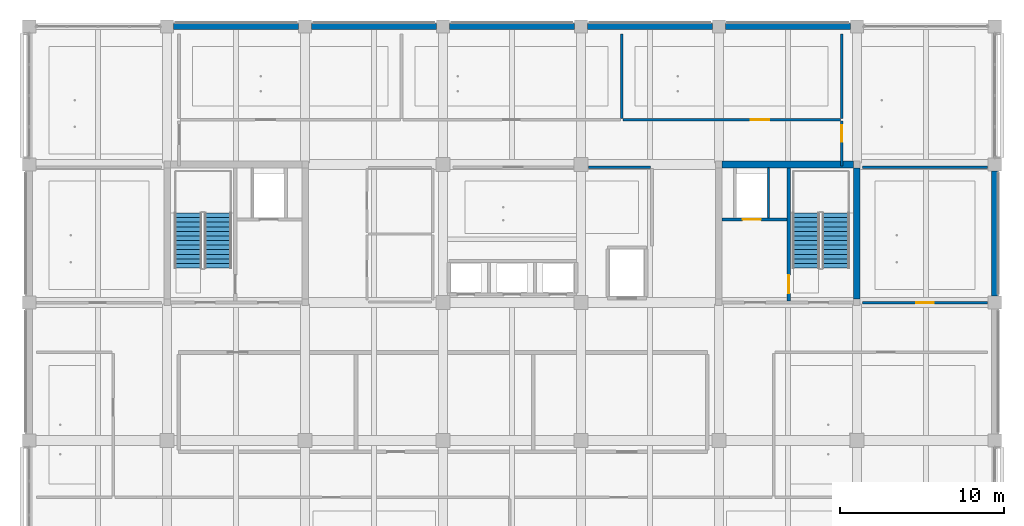
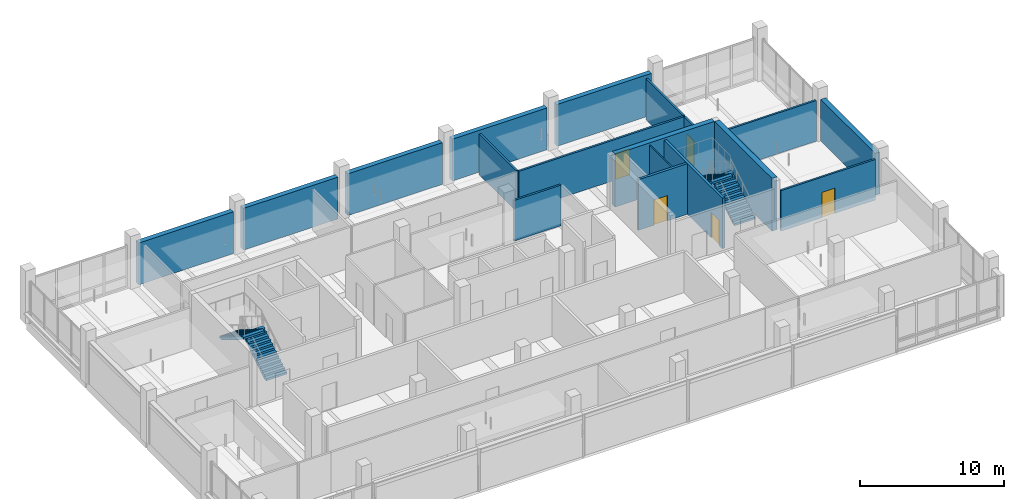
# One storey, part 13 of 35: 18 walls, 5 doors, 4 stair flights, 5 openings, 2 elements without a shape of their own.
"""IFC4 building model written with IfcOpenShell, lengths in metres."""

import ifcopenshell
import ifcopenshell.guid

model = None  # the IFC model being written
_history = None  # IfcOwnerHistory: only IFC2X3 demands one
_inside = {}  # id of a spatial element -> (the spatial element, [elements in it])
_under = {}  # id of a project, library or spatial element -> (it, [spatial elements below it])
_declared = {}  # id of a project -> (the project, [libraries it declares])
_typed = {}  # id of a type object -> (the type object, [elements of that type])
_made_of = {}  # id of a material, layer set ... -> (it, [elements and type objects made of it])


def new_model(schema):
    """Start an empty IFC model of exactly this schema.

    Asked for "IFC4X3", IfcOpenShell would pick the latest addendum, in which some entities
    have other attributes; the version numbers below select the first issue.
    IFC2X3 requires an IfcOwnerHistory on every rooted entity: one is made here for all.
    """
    global model, _history
    if schema == "IFC4X3":
        model = ifcopenshell.file(schema_version=(4, 3, 0, 0))
    else:
        model = ifcopenshell.file(schema=schema)
    _inside.clear()
    _under.clear()
    _declared.clear()
    _typed.clear()
    _made_of.clear()
    _history = None
    if model.schema == "IFC2X3":
        org = make("IfcOrganization", Name="unknown")
        user = make(
            "IfcPersonAndOrganization",
            ThePerson=make("IfcPerson", FamilyName="unknown"),
            TheOrganization=org,
        )
        app = make(
            "IfcApplication",
            ApplicationDeveloper=org,
            Version="unknown",
            ApplicationFullName="unknown",
            ApplicationIdentifier="unknown",
        )
        _history = make(
            "IfcOwnerHistory",
            OwningUser=user,
            OwningApplication=app,
            ChangeAction="ADDED",
            CreationDate=0,
        )
    return model


def make(cls, **values):
    """One entity of the class cls with the attributes given. An attribute that is None is left unset."""
    return model.create_entity(
        cls, **{name: value for name, value in values.items() if value is not None}
    )


def rooted(cls, **values):
    """An entity with a GlobalId (a new one), such as an element, a storey or a relation."""
    return make(cls, GlobalId=ifcopenshell.guid.new(), OwnerHistory=_history, **values)


def si_unit(unit_type, name, prefix=None):
    """IfcSIUnit, for example si_unit("LENGTHUNIT", "METRE", prefix="MILLI")."""
    return make("IfcSIUnit", UnitType=unit_type, Prefix=prefix, Name=name)


def assignment(units):
    """IfcUnitAssignment: the units of a project."""
    return None if units is None else make("IfcUnitAssignment", Units=units)


def point(xyz):
    """IfcCartesianPoint."""
    return None if xyz is None else make("IfcCartesianPoint", Coordinates=xyz)


def direction(xyz):
    """IfcDirection."""
    return None if xyz is None else make("IfcDirection", DirectionRatios=xyz)


def frame(location, z_axis=None, x_axis=None):
    """IfcAxis2Placement3D, a coordinate frame: its origin and axes. An axis left out is left unset."""
    return make(
        "IfcAxis2Placement3D",
        Location=point(location),
        Axis=direction(z_axis),
        RefDirection=direction(x_axis),
    )


def frame_2d(location, x_axis=None):
    """IfcAxis2Placement2D, a coordinate frame in the plane: its origin and x axis."""
    return make(
        "IfcAxis2Placement2D", Location=point(location), RefDirection=direction(x_axis)
    )


def origin():
    """The frame at (0, 0, 0) with its axes left unset."""
    return frame((0.0, 0.0, 0.0))


def place(relative_to, where):
    """IfcLocalPlacement: puts the frame where relative to a parent placement (None: the world)."""
    return make(
        "IfcLocalPlacement", PlacementRelTo=relative_to, RelativePlacement=where
    )


def context(
    kind, dimensions, precision=None, world=None, true_north=None, identifier=None
):
    """IfcGeometricRepresentationContext, for example the 3D "Model" context."""
    return make(
        "IfcGeometricRepresentationContext",
        ContextIdentifier=identifier,
        ContextType=kind,
        CoordinateSpaceDimension=dimensions,
        Precision=precision,
        WorldCoordinateSystem=world,
        TrueNorth=true_north,
    )


def subcontext(parent, identifier, kind, view, scale=None):
    """IfcGeometricRepresentationSubContext, for example "Body" below "Model"."""
    return make(
        "IfcGeometricRepresentationSubContext",
        ContextIdentifier=identifier,
        ContextType=kind,
        ParentContext=parent,
        TargetScale=scale,
        TargetView=view,
    )


def project(units=None, contexts=None):
    """IfcProject with its units and contexts."""
    return rooted(
        "IfcProject",
        Name="project",
        RepresentationContexts=contexts,
        UnitsInContext=assignment(units),
    )


def spatial(cls, under=None, at=None, **own):
    """A site, building, storey or space (cls), placed at a placement, below another one or the project."""
    s = rooted(cls, ObjectPlacement=at, **own)
    if under is not None:
        _under.setdefault(under.id(), (under, []))[1].append(s)
    return s


def polyline(points):
    """IfcPolyline through the points."""
    return make("IfcPolyline", Points=[point(p) for p in points])


def profile(cls, at=None, kind="AREA", **sizes):
    """A parametric profile (cls). Its sizes go by their IFC names, for example OverallWidth=200.0."""
    return make(cls, ProfileType=kind, Position=at, **sizes)


def rectangle(**sizes):
    """IfcRectangleProfileDef."""
    return profile("IfcRectangleProfileDef", **sizes)


def outline(outer, holes=None, kind="AREA"):
    """IfcArbitraryClosedProfileDef: a profile drawn as a closed curve; with holes, ...WithVoids."""
    if holes is None:
        return make("IfcArbitraryClosedProfileDef", ProfileType=kind, OuterCurve=outer)
    return make(
        "IfcArbitraryProfileDefWithVoids",
        ProfileType=kind,
        OuterCurve=outer,
        InnerCurves=holes,
    )


def extrude(swept, where, along, depth):
    """IfcExtrudedAreaSolid: the profile swept, set in the frame where, extruded along a direction by depth."""
    return make(
        "IfcExtrudedAreaSolid",
        SweptArea=swept,
        Position=where,
        ExtrudedDirection=direction(along),
        Depth=depth,
    )


def shape(context_of_items, identifier, shape_type, items):
    """IfcShapeRepresentation: the items that make up one representation, for example the "Body"."""
    return make(
        "IfcShapeRepresentation",
        ContextOfItems=context_of_items,
        RepresentationIdentifier=identifier,
        RepresentationType=shape_type,
        Items=items,
    )


def material(Name=None, Category=None):
    """IfcMaterial."""
    return make("IfcMaterial", Name=Name, Category=Category)


def layer(
    of_material, thickness, ventilated=None, Name=None, Category=None, Priority=None
):
    """IfcMaterialLayer: one layer of a wall or slab, of a material (None: an air gap)."""
    return make(
        "IfcMaterialLayer",
        Material=of_material,
        LayerThickness=thickness,
        IsVentilated=ventilated,
        Name=Name,
        Category=Category,
        Priority=Priority,
    )


def layer_set(layers, Name=None):
    """IfcMaterialLayerSet."""
    return make("IfcMaterialLayerSet", MaterialLayers=layers, LayerSetName=Name)


def made_of(thing, what):
    """Note that an element or type object is made of a material, layer set ...; save() writes the relation."""
    if what is not None:
        _made_of.setdefault(what.id(), (what, []))[1].append(thing)
    return thing


def type_object(cls, material=None, **own):
    """A type object (cls), such as IfcWallType, which elements share."""
    return made_of(rooted(cls, **own), material)


def element(
    cls,
    number,
    at=None,
    inside=None,
    cuts=None,
    type_object=None,
    material=None,
    context=None,
    identifier="Body",
    shape_type=None,
    held_by="IfcProductDefinitionShape",
    body=None,
    shapes=None,
    **own,
):
    """One element of the class cls, such as IfcWall. Its Tag is "e" and its number.

    at: its placement. inside: the storey or other place that contains it. cuts: it is an
    opening in that element (IfcRelVoidsElement). A single representation is given by context,
    identifier, shape_type and body (its items); several are given by shapes. held_by: the class
    of the entity that holds the representations. save() writes the other relations.
    """
    e = rooted(cls, Tag="e%d" % number, ObjectPlacement=at, **own)
    if body is not None:
        shapes = [shape(context, identifier, shape_type, body)]
    if shapes is not None:
        e.Representation = make(held_by, Representations=shapes)
    if inside is not None:
        _inside.setdefault(inside.id(), (inside, []))[1].append(e)
    if cuts is not None:
        rooted(
            "IfcRelVoidsElement", RelatingBuildingElement=cuts, RelatedOpeningElement=e
        )
    if type_object is not None:
        _typed.setdefault(type_object.id(), (type_object, []))[1].append(e)
    return made_of(e, material)


def fill(opening, filler):
    """IfcRelFillsElement: the door or window that sits in an opening."""
    return rooted(
        "IfcRelFillsElement",
        RelatingOpeningElement=opening,
        RelatedBuildingElement=filler,
    )


def aggregate(whole, parts):
    """IfcRelAggregates: a whole, such as a stair, and the parts it consists of."""
    return rooted("IfcRelAggregates", RelatingObject=whole, RelatedObjects=parts)


def save(model, path):
    """Write the relations noted so far, then the file.

    IfcRelAggregates (storeys below a building ...), IfcRelContainedInSpatialStructure (elements
    in a storey), IfcRelDefinesByType, IfcRelAssociatesMaterial and IfcRelDeclares: one each for
    every whole, place, type object, material and project.
    """
    for whole, parts in _under.values():
        aggregate(whole, parts)
    for where, things in _inside.values():
        rooted(
            "IfcRelContainedInSpatialStructure",
            RelatedElements=things,
            RelatingStructure=where,
        )
    for kind, things in _typed.values():
        rooted("IfcRelDefinesByType", RelatedObjects=things, RelatingType=kind)
    for what, things in _made_of.values():
        rooted("IfcRelAssociatesMaterial", RelatedObjects=things, RelatingMaterial=what)
    for by, libraries in _declared.values():
        rooted("IfcRelDeclares", RelatingContext=by, RelatedDefinitions=libraries)
    model.write(path)


model = new_model("IFC4")

# Units and contexts
model_context = context("Model", 3, precision=1e-05, world=origin(), true_north=direction((0.0, 1.0)))
body_context = subcontext(model_context, "Body", "Model", "MODEL_VIEW")
ifc_project = project(units=[si_unit("LENGTHUNIT", "METRE"), si_unit("AREAUNIT", "SQUARE_METRE"), si_unit("VOLUMEUNIT", "CUBIC_METRE"), si_unit("PLANEANGLEUNIT", "RADIAN"), si_unit("MASSUNIT", "GRAM", prefix="KILO")], contexts=[model_context])

# Site, building, storey
site_placement = place(None, origin())
site = spatial("IfcSite", under=ifc_project, at=site_placement, CompositionType="ELEMENT")
building_placement = place(site_placement, origin())
building = spatial("IfcBuilding", under=site, at=building_placement, Name="Telukmera Botanical Conservatory", CompositionType="ELEMENT")
storey_placement = place(building_placement, frame((0.0, 0.0, 28.5)))
storey = spatial("IfcBuildingStorey", under=building, at=storey_placement, Name="L06", CompositionType="ELEMENT", Elevation=28.5)

# Walls
ifc_material_1 = material(Name="Terracotta-faced precast concrete C40/50", Category="masonry")
ifc_layer_1 = layer(ifc_material_1, 0.3798828125)
ifc_layer_set_1 = layer_set([ifc_layer_1], Name="Terracotta-faced precast concrete C40/50")
wall_type_1 = type_object("IfcWallType", Name="Exterior Herbarium Vault Insulated Precast Wall 380", PredefinedType="SOLIDWALL", material=ifc_layer_set_1)
wall_1_placement = place(storey_placement, frame((59.201904296875, 42.800048828125, 0.0), z_axis=(0.0, 0.0, 1.0), x_axis=(1.0, 0.0, 0.0)))
element("IfcWall", 1, at=wall_1_placement, inside=storey, type_object=wall_type_1, Name="Exterior Precast Wall EW04 V4:L06:N2", PredefinedType="SOLIDWALL", context=body_context, shape_type="SweptSolid", body=[
    extrude(rectangle(XDim=7.59619140625, YDim=0.3798828125, at=frame_2d((3.798095703125, 0.0))), origin(), (0.0, 0.0, 1.0), 3.550048828125),
])
for number, where, z_axis, x_axis, name in (
    (2, (67.60205078125, 42.800048828125, 0.0), (0.0, 0.0, 1.0), (1.0, 0.0, 0.0), "Exterior Precast Wall EW04 V4:L06:N3"),
    (3, (76.001953125, 42.800048828125, 0.0), (0.0, 0.0, 1.0), (1.0, 0.0, 0.0), "Exterior Precast Wall EW04 V4:L06:N4"),
    (4, (84.402099609375, 42.800048828125, 0.0), (0.0, 0.0, 1.0), (1.0, 0.0, 0.0), "Exterior Precast Wall EW04 V4:L06:N5"),
    (5, (92.802001953125, 42.800048828125, 0.0), (0.0, 0.0, 1.0), (1.0, 0.0, 0.0), "Exterior Precast Wall EW04 V4:L06:N6"),
    (6, (109.199951171875, 26.402099609375, 0.0), (0.0, 0.0, 1.0), (0.0, 1.0, 0.0), "Exterior Precast Wall EW04 V4:L06:E3"),
):
    element("IfcWall", number, at=place(storey_placement, frame(where, z_axis=z_axis, x_axis=x_axis)), inside=storey, type_object=wall_type_1, Name=name, PredefinedType="SOLIDWALL", context=body_context, shape_type="SweptSolid", body=[
        extrude(rectangle(XDim=7.595947265625, YDim=0.3798828125, at=frame_2d((3.7978515625, 0.0))), origin(), (0.0, 0.0, 1.0), 3.550048828125),
    ])

# Wall, opening, door
ifc_material_2 = material(Name="Concrete C40/50", Category="concrete")
ifc_layer_2 = layer(ifc_material_2, 0.199951171875)
ifc_layer_set_2 = layer_set([ifc_layer_2], Name="Concrete C40/50")
wall_type_2 = type_object("IfcWallType", Name="WT-CORE-200", PredefinedType="SOLIDWALL", material=ifc_layer_set_2)
wall_2_placement = place(storey_placement, frame((96.64990234375, 26.10009765625, 0.0), z_axis=(0.0, 0.0, 1.0), x_axis=(0.0, 1.0, 0.0)))
wall_2 = element("IfcWall", 7, at=wall_2_placement, inside=storey, type_object=wall_type_2, Name="L06 Core C2 Stair-Lobby Wall", PredefinedType="SOLIDWALL", context=body_context, shape_type="SweptSolid", body=[
    extrude(rectangle(XDim=8.099853515625, YDim=0.199951171875, at=frame_2d((4.0498046875, 0.0))), origin(), (0.0, 0.0, 1.0), 4.300048828125),
])
opening_1_placement = place(wall_2_placement, frame((0.449951171875, 0.0, 0.0)))
opening_1 = element("IfcOpeningElement", 8, at=opening_1_placement, cuts=wall_2, Name="Opening FD60B", PredefinedType="OPENING", context=body_context, shape_type="SweptSolid", body=[
    extrude(rectangle(XDim=1.1201171875, YDim=2.14990234375, at=frame_2d((0.56005859375, 1.074951171875))), frame((0.0, 0.10986328125, 0.0), z_axis=(0.0, -1.0, 0.0), x_axis=(1.0, 0.0, 0.0)), (0.0, 0.0, 1.0), 0.219970703125),
])
ifc_material_3 = material(Name="Hardwood fire door", Category="wood")
door_type_1 = type_object("IfcDoorType", Name="DT-FD60-02", OperationType="NOTDEFINED", PredefinedType="DOOR", material=ifc_material_3)
door_1_placement = place(opening_1_placement, frame((1.1201171875, 0.0, 0.0), z_axis=(0.0, 0.0, 1.0), x_axis=(-1.0, 0.0, 0.0)))
door_1 = element("IfcDoor", 9, at=door_1_placement, inside=storey, type_object=door_type_1, Name="L06 Firefighting Lobby C2 to ST2 Door", OperationType="SINGLE_SWING_RIGHT", OverallHeight=2.14990234375, OverallWidth=1.1201171875, PredefinedType="DOOR", context=body_context, shape_type="SweptSolid", body=[
    extrude(rectangle(XDim=1.1201171875, YDim=2.14990234375, at=frame_2d((0.56005859375, 1.074951171875))), frame((0.0, 0.02490234375, 0.0), z_axis=(0.0, -1.0, 0.0), x_axis=(1.0, 0.0, 0.0)), (0.0, 0.0, 1.0), 0.050048828125),
])
fill(opening_1, door_1)

wall_3_placement = place(storey_placement, frame((92.60009765625, 31.050048828125, 0.0), z_axis=(0.0, 0.0, 1.0), x_axis=(1.0, 0.0, 0.0)))
wall_3 = element("IfcWall", 10, at=wall_3_placement, inside=storey, type_object=wall_type_2, Name="L06 Fire Lift FL2 Shaft Front Wall", PredefinedType="SOLIDWALL", context=body_context, shape_type="SweptSolid", body=[
    extrude(rectangle(XDim=3.949951171875, YDim=0.199951171875, at=frame_2d((1.97509765625, 0.0))), origin(), (0.0, 0.0, 1.0), 4.300048828125),
])
opening_2_placement = place(wall_3_placement, frame((1.25, 0.0, 0.0)))
opening_2 = element("IfcOpeningElement", 11, at=opening_2_placement, cuts=wall_3, Name="Opening LD01", PredefinedType="OPENING", context=body_context, shape_type="SweptSolid", body=[
    extrude(rectangle(XDim=1.10009765625, YDim=2.14990234375, at=frame_2d((0.550048828125, 1.074951171875))), frame((0.0, 0.10986328125, 0.0), z_axis=(0.0, -1.0, 0.0), x_axis=(1.0, 0.0, 0.0)), (0.0, 0.0, 1.0), 0.219970703125),
])
ifc_material_4 = material(Name="Stainless steel 316", Category="steel")
door_type_2 = type_object("IfcDoorType", Name="DT-LD01", OperationType="SLIDING_TO_LEFT", PredefinedType="DOOR", material=ifc_material_4)
door_2_placement = place(opening_2_placement, frame((1.10009765625, 0.0, 0.0), z_axis=(0.0, 0.0, 1.0), x_axis=(-1.0, 0.0, 0.0)))
door_2 = element("IfcDoor", 12, at=door_2_placement, inside=storey, type_object=door_type_2, Name="L06 Lift Landing Door FL2", OperationType="SLIDING_TO_LEFT", OverallHeight=2.14990234375, OverallWidth=1.10009765625, PredefinedType="DOOR", context=body_context, shape_type="SweptSolid", body=[
    extrude(rectangle(XDim=1.10009765625, YDim=2.14990234375, at=frame_2d((0.550048828125, 1.074951171875))), frame((0.0, 0.02490234375, 0.0), z_axis=(0.0, -1.0, 0.0), x_axis=(1.0, 0.0, 0.0)), (0.0, 0.0, 1.0), 0.050048828125),
])
fill(opening_2, door_2)

# Wall
ifc_material_5 = material(Name="Gypsum acoustic stud partition")
ifc_layer_3 = layer(ifc_material_5, 0.159912109375)
ifc_layer_set_3 = layer_set([ifc_layer_3], Name="Gypsum acoustic stud partition")
wall_type_3 = type_object("IfcWallType", Name="WT-LAB-160", PredefinedType="PARTITIONING", material=ifc_layer_set_3)
wall_4_placement = place(storey_placement, frame((84.455078125, 34.22509765625, 0.0), z_axis=(0.0, 0.0, 1.0), x_axis=(1.0, 0.0, 0.0)))
element("IfcWall", 13, at=wall_4_placement, inside=storey, type_object=wall_type_3, Name="L06 Interior Partition 08", PredefinedType="PARTITIONING", context=body_context, shape_type="SweptSolid", body=[
    extrude(rectangle(XDim=3.780029296875, YDim=0.159912109375, at=frame_2d((1.89013671875, 0.0))), origin(), (0.0, 0.0, 1.0), 3.449951171875),
])

# Wall, opening, door
wall_5_placement = place(storey_placement, frame((86.550048828125, 37.125, 0.0), z_axis=(0.0, 0.0, 1.0), x_axis=(1.0, 0.0, 0.0)))
wall_5 = element("IfcWall", 14, at=wall_5_placement, inside=storey, type_object=wall_type_3, Name="L06 Interior Partition 27", PredefinedType="PARTITIONING", context=body_context, shape_type="SweptSolid", body=[
    extrude(rectangle(XDim=13.25, YDim=0.159912109375, at=frame_2d((6.625, 0.0))), origin(), (0.0, 0.0, 1.0), 3.449951171875),
])
opening_3_placement = place(wall_5_placement, frame((7.7890625, 0.0, 0.0)))
opening_3 = element("IfcOpeningElement", 15, at=opening_3_placement, cuts=wall_5, Name="Opening ID10", PredefinedType="OPENING", context=body_context, shape_type="SweptSolid", body=[
    extrude(rectangle(XDim=1.139892578125, YDim=2.219970703125, at=frame_2d((0.56982421875, 1.10986328125))), frame((0.0, 0.08984375, 0.0), z_axis=(0.0, -1.0, 0.0), x_axis=(1.0, 0.0, 0.0)), (0.0, 0.0, 1.0), 0.179931640625),
])
ifc_material_6 = material(Name="Sealed steel herbarium door", Category="steel")
door_type_3 = type_object("IfcDoorType", Name="DT-HERB-114", OperationType="NOTDEFINED", PredefinedType="DOOR", material=ifc_material_6)
door_3_placement = place(opening_3_placement, origin())
door_3 = element("IfcDoor", 16, at=door_3_placement, inside=storey, type_object=door_type_3, Name="L06 Historical Herbarium Archive Studio Door", OperationType="SINGLE_SWING_LEFT", OverallHeight=2.219970703125, OverallWidth=1.139892578125, PredefinedType="DOOR", context=body_context, shape_type="SweptSolid", body=[
    extrude(rectangle(XDim=1.139892578125, YDim=2.219970703125, at=frame_2d((0.56982421875, 1.10986328125))), frame((0.0, 0.02490234375, 0.0), z_axis=(0.0, -1.0, 0.0), x_axis=(1.0, 0.0, 0.0)), (0.0, 0.0, 1.0), 0.050048828125),
])
fill(opening_3, door_3)

# Walls
for number, where, z_axis, x_axis, name in (
    (17, (86.47509765625, 37.215087890625, 0.0), (0.0, 0.0, 1.0), (0.0, 1.0, 0.0), "L06 Interior Partition 31"),
    (18, (99.875, 37.215087890625, 0.0), (0.0, 0.0, 1.0), (0.0, 1.0, 0.0), "L06 Interior Partition 32"),
):
    element("IfcWall", number, at=place(storey_placement, frame(where, z_axis=z_axis, x_axis=x_axis)), inside=storey, type_object=wall_type_3, Name=name, PredefinedType="PARTITIONING", context=body_context, shape_type="SweptSolid", body=[
        extrude(rectangle(XDim=5.135009765625, YDim=0.159912109375, at=frame_2d((2.5673828125, 0.0))), origin(), (0.0, 0.0, 1.0), 3.449951171875),
    ])
ifc_material_7 = material(Name="Gypsum shaftwall liner")
ifc_layer_4 = layer(ifc_material_7, 0.110107421875)
ifc_layer_set_4 = layer_set([ifc_layer_4], Name="Gypsum shaftwall liner")
wall_type_4 = type_object("IfcWallType", Name="WT-RISER-110", PredefinedType="PARTITIONING", material=ifc_layer_set_4)
wall_6_placement = place(storey_placement, frame((95.419921875, 31.14990234375, 0.0), z_axis=(0.0, 0.0, 1.0), x_axis=(0.0, 1.0, 0.0)))
element("IfcWall", 19, at=wall_6_placement, inside=storey, type_object=wall_type_4, Name="L06 Wet Riser C2 Shaft Wall", PredefinedType="PARTITIONING", context=body_context, shape_type="SweptSolid", body=[
    extrude(rectangle(XDim=3.050048828125, YDim=0.110107421875, at=frame_2d((1.52490234375, 0.0))), origin(), (0.0, 0.0, 1.0), 4.300048828125),
])

# Wall, opening, door
ifc_layer_5 = layer(ifc_material_5, 0.14990234375)
ifc_layer_set_5 = layer_set([ifc_layer_5], Name="Gypsum acoustic stud partition")
wall_type_5 = type_object("IfcWallType", Name="WT-STD-150", PredefinedType="PARTITIONING", material=ifc_layer_set_5)
wall_7_placement = place(storey_placement, frame((101.14990234375, 25.97509765625, 0.0), z_axis=(0.0, 0.0, 1.0), x_axis=(1.0, 0.0, 0.0)))
wall_7 = element("IfcWall", 20, at=wall_7_placement, inside=storey, type_object=wall_type_5, Name="L06 Interior Partition 11", PredefinedType="PARTITIONING", context=body_context, shape_type="SweptSolid", body=[
    extrude(rectangle(XDim=7.60009765625, YDim=0.14990234375, at=frame_2d((3.800048828125, 0.0))), origin(), (0.0, 0.0, 1.0), 3.449951171875),
])
opening_4_placement = place(wall_7_placement, frame((3.280029296875, 0.0, 0.0)))
opening_4 = element("IfcOpeningElement", 21, at=opening_4_placement, cuts=wall_7, Name="Opening ID13", PredefinedType="OPENING", context=body_context, shape_type="SweptSolid", body=[
    extrude(rectangle(XDim=1.0400390625, YDim=2.14990234375, at=frame_2d((0.52001953125, 1.074951171875))), frame((0.0, 0.0849609375, 0.0), z_axis=(0.0, -1.0, 0.0), x_axis=(1.0, 0.0, 0.0)), (0.0, 0.0, 1.0), 0.169921875),
])
ifc_material_8 = material(Name="Hardwood curation studio door", Category="wood")
door_type_4 = type_object("IfcDoorType", Name="DT-CUR-104", OperationType="NOTDEFINED", PredefinedType="DOOR", material=ifc_material_8)
door_4_placement = place(opening_4_placement, origin())
door_4 = element("IfcDoor", 22, at=door_4_placement, inside=storey, type_object=door_type_4, Name="L06 Ethnobotany Voucher Studio Door", OperationType="SINGLE_SWING_LEFT", OverallHeight=2.14990234375, OverallWidth=1.0400390625, PredefinedType="DOOR", context=body_context, shape_type="SweptSolid", body=[
    extrude(rectangle(XDim=1.0400390625, YDim=2.14990234375, at=frame_2d((0.52001953125, 1.074951171875))), frame((0.0, 0.02490234375, 0.0), z_axis=(0.0, -1.0, 0.0), x_axis=(1.0, 0.0, 0.0)), (0.0, 0.0, 1.0), 0.050048828125),
])
fill(opening_4, door_4)

# Wall
wall_8_placement = place(storey_placement, frame((101.14990234375, 34.22509765625, 0.0), z_axis=(0.0, 0.0, 1.0), x_axis=(1.0, 0.0, 0.0)))
element("IfcWall", 23, at=wall_8_placement, inside=storey, type_object=wall_type_5, Name="L06 Interior Partition 12", PredefinedType="PARTITIONING", context=body_context, shape_type="SweptSolid", body=[
    extrude(rectangle(XDim=7.60009765625, YDim=0.14990234375, at=frame_2d((3.800048828125, 0.0))), origin(), (0.0, 0.0, 1.0), 3.449951171875),
])

# Wall, opening, door
wall_9_placement = place(storey_placement, frame((99.875, 34.300048828125, 0.0), z_axis=(0.0, 0.0, 1.0), x_axis=(0.0, 1.0, 0.0)))
wall_9 = element("IfcWall", 24, at=wall_9_placement, inside=storey, type_object=wall_type_5, Name="L06 Interior Partition 28", PredefinedType="PARTITIONING", context=body_context, shape_type="SweptSolid", body=[
    extrude(rectangle(XDim=2.73486328125, YDim=0.14990234375, at=frame_2d((1.367431640625, 0.0))), origin(), (0.0, 0.0, 1.0), 3.449951171875),
])
opening_5_placement = place(wall_9_placement, frame((1.485107421875, 0.0, 0.0)))
opening_5 = element("IfcOpeningElement", 25, at=opening_5_placement, cuts=wall_9, Name="Opening ID14", PredefinedType="OPENING", context=body_context, shape_type="SweptSolid", body=[
    extrude(rectangle(XDim=1.0, YDim=2.14990234375, at=frame_2d((0.5, 1.074951171875))), frame((0.0, 0.0849609375, 0.0), z_axis=(0.0, -1.0, 0.0), x_axis=(1.0, 0.0, 0.0)), (0.0, 0.0, 1.0), 0.169921875),
])
ifc_material_9 = material(Name="Acoustic timber office door", Category="wood")
door_type_5 = type_object("IfcDoorType", Name="DT-WRT-100", OperationType="NOTDEFINED", PredefinedType="DOOR", material=ifc_material_9)
door_5_placement = place(opening_5_placement, frame((1.0, 0.0, 0.0), z_axis=(0.0, 0.0, 1.0), x_axis=(-1.0, 0.0, 0.0)))
door_5 = element("IfcDoor", 26, at=door_5_placement, inside=storey, type_object=door_type_5, Name="L06 Curatorial Director Office Door", OperationType="SINGLE_SWING_RIGHT", OverallHeight=2.14990234375, OverallWidth=1.0, PredefinedType="DOOR", context=body_context, shape_type="SweptSolid", body=[
    extrude(rectangle(XDim=1.0, YDim=2.14990234375, at=frame_2d((0.5, 1.074951171875))), frame((0.0, 0.02490234375, 0.0), z_axis=(0.0, -1.0, 0.0), x_axis=(1.0, 0.0, 0.0)), (0.0, 0.0, 1.0), 0.050048828125),
])
fill(opening_5, door_5)

# Walls
ifc_material_10 = material(Name="Concrete C50/60", Category="concrete")
ifc_layer_6 = layer(ifc_material_10, 0.39990234375)
ifc_layer_set_6 = layer_set([ifc_layer_6], Name="Concrete C50/60")
wall_type_6 = type_object("IfcWallType", Name="Wall_CW1", PredefinedType="SHEAR", material=ifc_layer_set_6)
for number, where, z_axis, x_axis, name in (
    (27, (100.800048828125, 26.199951171875, 0.0), (0.0, 0.0, 1.0), (0.0, 1.0, 0.0), "Core C2 Shear Wall East L06"),
    (28, (92.60009765625, 34.39990234375, 0.0), (0.0, 0.0, 1.0), (1.0, 0.0, 0.0), "Core C2 Shear Wall North L06"),
):
    element("IfcWall", number, at=place(storey_placement, frame(where, z_axis=z_axis, x_axis=x_axis)), inside=storey, type_object=wall_type_6, Name=name, PredefinedType="SHEAR", context=body_context, shape_type="SweptSolid", body=[
        extrude(rectangle(XDim=8.0, YDim=0.39990234375, at=frame_2d((4.0, 0.0))), origin(), (0.0, 0.0, 1.0), 4.5),
    ])

# Stair, stair flights
stair_type = type_object("IfcStairType", Name="ST-ESC-4500", PredefinedType="HALF_TURN_STAIR", material=ifc_material_2)
stair_1_placement = place(storey_placement, origin())
stair_1 = element("IfcStair", 29, at=stair_1_placement, inside=storey, type_object=stair_type, Name="L06 Protected Escape Stair ST1", PredefinedType="HALF_TURN_STAIR")
stair_flight_type = type_object("IfcStairFlightType", Name="SF-ESC-4500", PredefinedType="STRAIGHT", material=ifc_material_2)
stair_flight_1_placement = place(storey_placement, frame((61.89990234375, 28.090087890625, 0.0), z_axis=(0.0, 0.0, 1.0), x_axis=(0.0, 1.0, 0.0)))
stair_flight_1 = element("IfcStairFlight", 30, at=stair_flight_1_placement, type_object=stair_flight_type, Name="ST1 flight 1", NumberOfRisers=13, NumberOfTreads=12, PredefinedType="STRAIGHT", RiserHeight=0.173076923, TreadLength=0.28, context=body_context, shape_type="SweptSolid", body=[
    extrude(outline(polyline([(0.0, 0.0), (0.0, 0.173095703125), (0.280029296875, 0.173095703125), (0.280029296875, 0.34619140625), (0.56005859375, 0.34619140625), (0.56005859375, 0.519287109375), (0.840087890625, 0.519287109375), (0.840087890625, 0.6923828125), (1.1201171875, 0.6923828125), (1.1201171875, 0.865478515625), (1.39990234375, 0.865478515625), (1.39990234375, 1.03857421875), (1.679931640625, 1.03857421875), (1.679931640625, 1.21142578125), (1.9599609375, 1.21142578125), (1.9599609375, 1.384521484375), (2.239990234375, 1.384521484375), (2.239990234375, 1.5576171875), (2.52001953125, 1.5576171875), (2.52001953125, 1.730712890625), (2.800048828125, 1.730712890625), (2.800048828125, 1.90380859375), (3.080078125, 1.90380859375), (3.080078125, 2.076904296875), (3.360107421875, 2.076904296875), (3.360107421875, 2.25), (3.360107421875, 1.888916015625), (0.30419921875, 0.0), (0.0, 0.0)])), frame((0.0, 0.830078125, 0.0), z_axis=(0.0, -1.0, 0.0), x_axis=(1.0, 0.0, 0.0)), (0.0, 0.0, 1.0), 1.659912109375),
])
stair_flight_2_placement = place(storey_placement, frame((60.080078125, 31.449951171875, 2.25), z_axis=(0.0, 0.0, 1.0), x_axis=(0.0, -1.0, 0.0)))
stair_flight_2 = element("IfcStairFlight", 31, at=stair_flight_2_placement, type_object=stair_flight_type, Name="ST1 flight 2", NumberOfRisers=13, NumberOfTreads=12, PredefinedType="STRAIGHT", RiserHeight=0.173076923, TreadLength=0.28, context=body_context, shape_type="SweptSolid", body=[
    extrude(outline(polyline([(0.0, 0.0), (0.0, 0.173095703125), (0.280029296875, 0.173095703125), (0.280029296875, 0.34619140625), (0.56005859375, 0.34619140625), (0.56005859375, 0.519287109375), (0.840087890625, 0.519287109375), (0.840087890625, 0.6923828125), (1.1201171875, 0.6923828125), (1.1201171875, 0.865478515625), (1.39990234375, 0.865478515625), (1.39990234375, 1.03857421875), (1.679931640625, 1.03857421875), (1.679931640625, 1.21142578125), (1.9599609375, 1.21142578125), (1.9599609375, 1.384521484375), (2.239990234375, 1.384521484375), (2.239990234375, 1.5576171875), (2.52001953125, 1.5576171875), (2.52001953125, 1.730712890625), (2.800048828125, 1.730712890625), (2.800048828125, 1.90380859375), (3.080078125, 1.90380859375), (3.080078125, 2.076904296875), (3.360107421875, 2.076904296875), (3.360107421875, 2.25), (3.360107421875, 1.888916015625), (0.30419921875, 0.0), (0.0, 0.0)])), frame((0.0, 0.830078125, 0.0), z_axis=(0.0, -1.0, 0.0), x_axis=(1.0, 0.0, 0.0)), (0.0, 0.0, 1.0), 1.659912109375),
])
aggregate(stair_1, [stair_flight_1, stair_flight_2])

stair_2_placement = place(storey_placement, origin())
stair_2 = element("IfcStair", 32, at=stair_2_placement, inside=storey, type_object=stair_type, Name="L06 Protected Escape Stair ST2", PredefinedType="HALF_TURN_STAIR")
stair_flight_3_placement = place(storey_placement, frame((99.52001953125, 28.090087890625, 0.0), z_axis=(0.0, 0.0, 1.0), x_axis=(0.0, 1.0, 0.0)))
stair_flight_3 = element("IfcStairFlight", 33, at=stair_flight_3_placement, type_object=stair_flight_type, Name="ST2 flight 1", NumberOfRisers=13, NumberOfTreads=12, PredefinedType="STRAIGHT", RiserHeight=0.173076923, TreadLength=0.28, context=body_context, shape_type="SweptSolid", body=[
    extrude(outline(polyline([(0.0, 0.0), (0.0, 0.173095703125), (0.280029296875, 0.173095703125), (0.280029296875, 0.34619140625), (0.56005859375, 0.34619140625), (0.56005859375, 0.519287109375), (0.840087890625, 0.519287109375), (0.840087890625, 0.6923828125), (1.1201171875, 0.6923828125), (1.1201171875, 0.865478515625), (1.39990234375, 0.865478515625), (1.39990234375, 1.03857421875), (1.679931640625, 1.03857421875), (1.679931640625, 1.21142578125), (1.9599609375, 1.21142578125), (1.9599609375, 1.384521484375), (2.239990234375, 1.384521484375), (2.239990234375, 1.5576171875), (2.52001953125, 1.5576171875), (2.52001953125, 1.730712890625), (2.800048828125, 1.730712890625), (2.800048828125, 1.90380859375), (3.080078125, 1.90380859375), (3.080078125, 2.076904296875), (3.360107421875, 2.076904296875), (3.360107421875, 2.25), (3.360107421875, 1.888916015625), (0.30419921875, 0.0), (0.0, 0.0)])), frame((0.0, 0.830078125, 0.0), z_axis=(0.0, -1.0, 0.0), x_axis=(1.0, 0.0, 0.0)), (0.0, 0.0, 1.0), 1.659912109375),
])
stair_flight_4_placement = place(storey_placement, frame((97.699951171875, 31.449951171875, 2.25), z_axis=(0.0, 0.0, 1.0), x_axis=(0.0, -1.0, 0.0)))
stair_flight_4 = element("IfcStairFlight", 34, at=stair_flight_4_placement, type_object=stair_flight_type, Name="ST2 flight 2", NumberOfRisers=13, NumberOfTreads=12, PredefinedType="STRAIGHT", RiserHeight=0.173076923, TreadLength=0.28, context=body_context, shape_type="SweptSolid", body=[
    extrude(outline(polyline([(0.0, 0.0), (0.0, 0.173095703125), (0.280029296875, 0.173095703125), (0.280029296875, 0.34619140625), (0.56005859375, 0.34619140625), (0.56005859375, 0.519287109375), (0.840087890625, 0.519287109375), (0.840087890625, 0.6923828125), (1.1201171875, 0.6923828125), (1.1201171875, 0.865478515625), (1.39990234375, 0.865478515625), (1.39990234375, 1.03857421875), (1.679931640625, 1.03857421875), (1.679931640625, 1.21142578125), (1.9599609375, 1.21142578125), (1.9599609375, 1.384521484375), (2.239990234375, 1.384521484375), (2.239990234375, 1.5576171875), (2.52001953125, 1.5576171875), (2.52001953125, 1.730712890625), (2.800048828125, 1.730712890625), (2.800048828125, 1.90380859375), (3.080078125, 1.90380859375), (3.080078125, 2.076904296875), (3.360107421875, 2.076904296875), (3.360107421875, 2.25), (3.360107421875, 1.888916015625), (0.30419921875, 0.0), (0.0, 0.0)])), frame((0.0, 0.830078125, 0.0), z_axis=(0.0, -1.0, 0.0), x_axis=(1.0, 0.0, 0.0)), (0.0, 0.0, 1.0), 1.659912109375),
])
aggregate(stair_2, [stair_flight_3, stair_flight_4])

save(model, "model.ifc")
